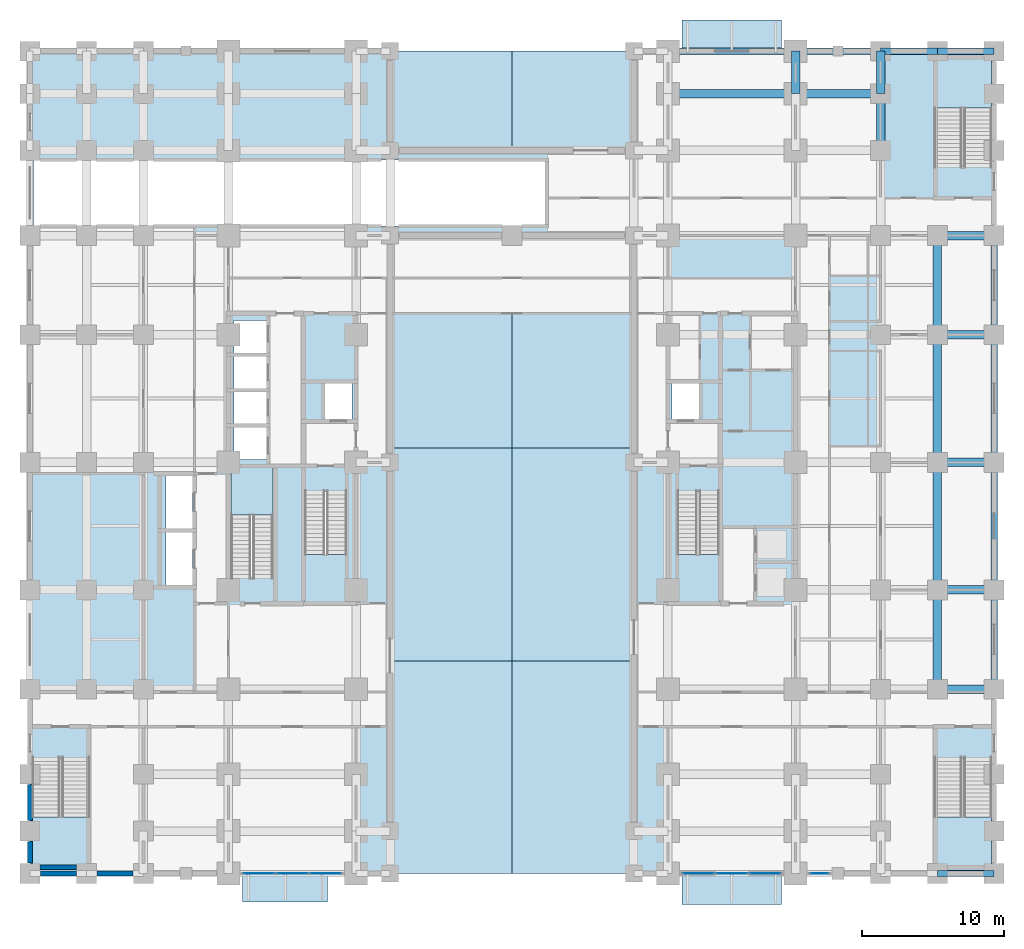
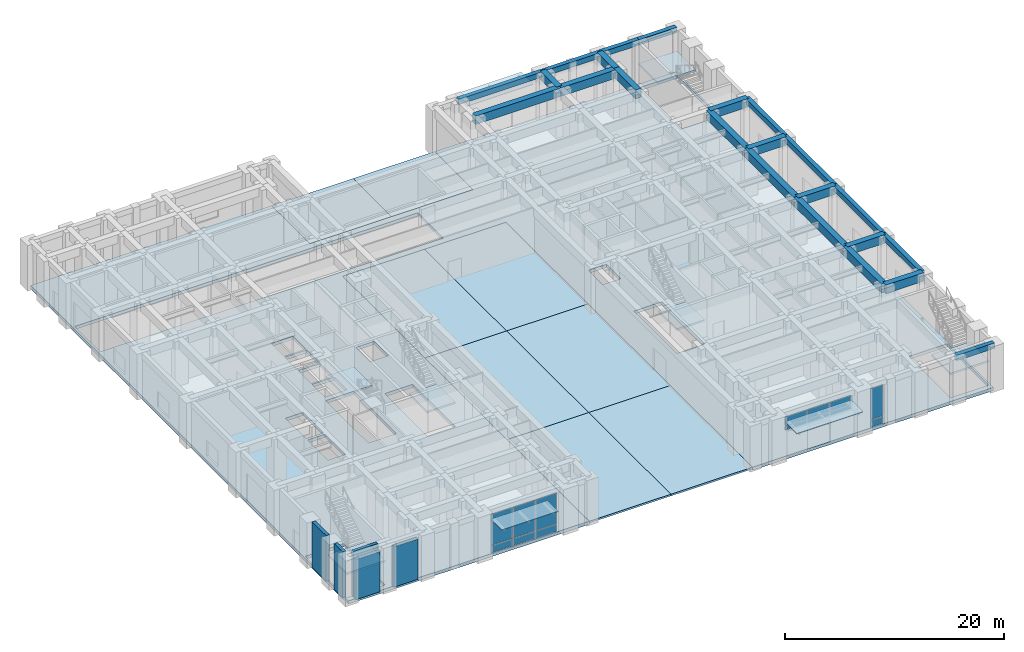
# One storey, part 5 of 20: 23 beams, 17 plates, 15 slabs, 5 walls, 9 elements without a shape of their own.
"""IFC4 building model written with IfcOpenShell, lengths in metres."""

import ifcopenshell
import ifcopenshell.guid

model = None  # the IFC model being written
_history = None  # IfcOwnerHistory: only IFC2X3 demands one
_inside = {}  # id of a spatial element -> (the spatial element, [elements in it])
_under = {}  # id of a project, library or spatial element -> (it, [spatial elements below it])
_declared = {}  # id of a project -> (the project, [libraries it declares])
_typed = {}  # id of a type object -> (the type object, [elements of that type])
_made_of = {}  # id of a material, layer set ... -> (it, [elements and type objects made of it])


def new_model(schema):
    """Start an empty IFC model of exactly this schema.

    Asked for "IFC4X3", IfcOpenShell would pick the latest addendum, in which some entities
    have other attributes; the version numbers below select the first issue.
    IFC2X3 requires an IfcOwnerHistory on every rooted entity: one is made here for all.
    """
    global model, _history
    if schema == "IFC4X3":
        model = ifcopenshell.file(schema_version=(4, 3, 0, 0))
    else:
        model = ifcopenshell.file(schema=schema)
    _inside.clear()
    _under.clear()
    _declared.clear()
    _typed.clear()
    _made_of.clear()
    _history = None
    if model.schema == "IFC2X3":
        org = make("IfcOrganization", Name="unknown")
        user = make(
            "IfcPersonAndOrganization",
            ThePerson=make("IfcPerson", FamilyName="unknown"),
            TheOrganization=org,
        )
        app = make(
            "IfcApplication",
            ApplicationDeveloper=org,
            Version="unknown",
            ApplicationFullName="unknown",
            ApplicationIdentifier="unknown",
        )
        _history = make(
            "IfcOwnerHistory",
            OwningUser=user,
            OwningApplication=app,
            ChangeAction="ADDED",
            CreationDate=0,
        )
    return model


def make(cls, **values):
    """One entity of the class cls with the attributes given. An attribute that is None is left unset."""
    return model.create_entity(
        cls, **{name: value for name, value in values.items() if value is not None}
    )


def rooted(cls, **values):
    """An entity with a GlobalId (a new one), such as an element, a storey or a relation."""
    return make(cls, GlobalId=ifcopenshell.guid.new(), OwnerHistory=_history, **values)


def si_unit(unit_type, name, prefix=None):
    """IfcSIUnit, for example si_unit("LENGTHUNIT", "METRE", prefix="MILLI")."""
    return make("IfcSIUnit", UnitType=unit_type, Prefix=prefix, Name=name)


def assignment(units):
    """IfcUnitAssignment: the units of a project."""
    return None if units is None else make("IfcUnitAssignment", Units=units)


def point(xyz):
    """IfcCartesianPoint."""
    return None if xyz is None else make("IfcCartesianPoint", Coordinates=xyz)


def direction(xyz):
    """IfcDirection."""
    return None if xyz is None else make("IfcDirection", DirectionRatios=xyz)


def frame(location, z_axis=None, x_axis=None):
    """IfcAxis2Placement3D, a coordinate frame: its origin and axes. An axis left out is left unset."""
    return make(
        "IfcAxis2Placement3D",
        Location=point(location),
        Axis=direction(z_axis),
        RefDirection=direction(x_axis),
    )


def frame_2d(location, x_axis=None):
    """IfcAxis2Placement2D, a coordinate frame in the plane: its origin and x axis."""
    return make(
        "IfcAxis2Placement2D", Location=point(location), RefDirection=direction(x_axis)
    )


def origin():
    """The frame at (0, 0, 0) with its axes left unset."""
    return frame((0.0, 0.0, 0.0))


def origin_2d():
    """The frame at (0, 0) in the plane with its x axis left unset."""
    return frame_2d((0.0, 0.0))


def place(relative_to, where):
    """IfcLocalPlacement: puts the frame where relative to a parent placement (None: the world)."""
    return make(
        "IfcLocalPlacement", PlacementRelTo=relative_to, RelativePlacement=where
    )


def context(
    kind, dimensions, precision=None, world=None, true_north=None, identifier=None
):
    """IfcGeometricRepresentationContext, for example the 3D "Model" context."""
    return make(
        "IfcGeometricRepresentationContext",
        ContextIdentifier=identifier,
        ContextType=kind,
        CoordinateSpaceDimension=dimensions,
        Precision=precision,
        WorldCoordinateSystem=world,
        TrueNorth=true_north,
    )


def subcontext(parent, identifier, kind, view, scale=None):
    """IfcGeometricRepresentationSubContext, for example "Body" below "Model"."""
    return make(
        "IfcGeometricRepresentationSubContext",
        ContextIdentifier=identifier,
        ContextType=kind,
        ParentContext=parent,
        TargetScale=scale,
        TargetView=view,
    )


def project(units=None, contexts=None):
    """IfcProject with its units and contexts."""
    return rooted(
        "IfcProject",
        Name="project",
        RepresentationContexts=contexts,
        UnitsInContext=assignment(units),
    )


def spatial(cls, under=None, at=None, **own):
    """A site, building, storey or space (cls), placed at a placement, below another one or the project."""
    s = rooted(cls, ObjectPlacement=at, **own)
    if under is not None:
        _under.setdefault(under.id(), (under, []))[1].append(s)
    return s


def polyline(points):
    """IfcPolyline through the points."""
    return make("IfcPolyline", Points=[point(p) for p in points])


def profile(cls, at=None, kind="AREA", **sizes):
    """A parametric profile (cls). Its sizes go by their IFC names, for example OverallWidth=200.0."""
    return make(cls, ProfileType=kind, Position=at, **sizes)


def rectangle(**sizes):
    """IfcRectangleProfileDef."""
    return profile("IfcRectangleProfileDef", **sizes)


def outline(outer, holes=None, kind="AREA"):
    """IfcArbitraryClosedProfileDef: a profile drawn as a closed curve; with holes, ...WithVoids."""
    if holes is None:
        return make("IfcArbitraryClosedProfileDef", ProfileType=kind, OuterCurve=outer)
    return make(
        "IfcArbitraryProfileDefWithVoids",
        ProfileType=kind,
        OuterCurve=outer,
        InnerCurves=holes,
    )


def extrude(swept, where, along, depth):
    """IfcExtrudedAreaSolid: the profile swept, set in the frame where, extruded along a direction by depth."""
    return make(
        "IfcExtrudedAreaSolid",
        SweptArea=swept,
        Position=where,
        ExtrudedDirection=direction(along),
        Depth=depth,
    )


def shape(context_of_items, identifier, shape_type, items):
    """IfcShapeRepresentation: the items that make up one representation, for example the "Body"."""
    return make(
        "IfcShapeRepresentation",
        ContextOfItems=context_of_items,
        RepresentationIdentifier=identifier,
        RepresentationType=shape_type,
        Items=items,
    )


def material(Name=None, Category=None):
    """IfcMaterial."""
    return make("IfcMaterial", Name=Name, Category=Category)


def layer(
    of_material, thickness, ventilated=None, Name=None, Category=None, Priority=None
):
    """IfcMaterialLayer: one layer of a wall or slab, of a material (None: an air gap)."""
    return make(
        "IfcMaterialLayer",
        Material=of_material,
        LayerThickness=thickness,
        IsVentilated=ventilated,
        Name=Name,
        Category=Category,
        Priority=Priority,
    )


def layer_set(layers, Name=None):
    """IfcMaterialLayerSet."""
    return make("IfcMaterialLayerSet", MaterialLayers=layers, LayerSetName=Name)


def material_profile(
    of_material, cross_section, Name=None, Category=None, Priority=None
):
    """IfcMaterialProfile: a cross section and its material."""
    return make(
        "IfcMaterialProfile",
        Name=Name,
        Material=of_material,
        Profile=cross_section,
        Priority=Priority,
        Category=Category,
    )


def profile_set(profiles, Name=None, composite=None):
    """IfcMaterialProfileSet."""
    return make(
        "IfcMaterialProfileSet",
        Name=Name,
        MaterialProfiles=profiles,
        CompositeProfile=composite,
    )


def made_of(thing, what):
    """Note that an element or type object is made of a material, layer set ...; save() writes the relation."""
    if what is not None:
        _made_of.setdefault(what.id(), (what, []))[1].append(thing)
    return thing


def type_object(cls, material=None, **own):
    """A type object (cls), such as IfcWallType, which elements share."""
    return made_of(rooted(cls, **own), material)


def element(
    cls,
    number,
    at=None,
    inside=None,
    cuts=None,
    type_object=None,
    material=None,
    context=None,
    identifier="Body",
    shape_type=None,
    held_by="IfcProductDefinitionShape",
    body=None,
    shapes=None,
    **own,
):
    """One element of the class cls, such as IfcWall. Its Tag is "e" and its number.

    at: its placement. inside: the storey or other place that contains it. cuts: it is an
    opening in that element (IfcRelVoidsElement). A single representation is given by context,
    identifier, shape_type and body (its items); several are given by shapes. held_by: the class
    of the entity that holds the representations. save() writes the other relations.
    """
    e = rooted(cls, Tag="e%d" % number, ObjectPlacement=at, **own)
    if body is not None:
        shapes = [shape(context, identifier, shape_type, body)]
    if shapes is not None:
        e.Representation = make(held_by, Representations=shapes)
    if inside is not None:
        _inside.setdefault(inside.id(), (inside, []))[1].append(e)
    if cuts is not None:
        rooted(
            "IfcRelVoidsElement", RelatingBuildingElement=cuts, RelatedOpeningElement=e
        )
    if type_object is not None:
        _typed.setdefault(type_object.id(), (type_object, []))[1].append(e)
    return made_of(e, material)


def aggregate(whole, parts):
    """IfcRelAggregates: a whole, such as a stair, and the parts it consists of."""
    return rooted("IfcRelAggregates", RelatingObject=whole, RelatedObjects=parts)


def save(model, path):
    """Write the relations noted so far, then the file.

    IfcRelAggregates (storeys below a building ...), IfcRelContainedInSpatialStructure (elements
    in a storey), IfcRelDefinesByType, IfcRelAssociatesMaterial and IfcRelDeclares: one each for
    every whole, place, type object, material and project.
    """
    for whole, parts in _under.values():
        aggregate(whole, parts)
    for where, things in _inside.values():
        rooted(
            "IfcRelContainedInSpatialStructure",
            RelatedElements=things,
            RelatingStructure=where,
        )
    for kind, things in _typed.values():
        rooted("IfcRelDefinesByType", RelatedObjects=things, RelatingType=kind)
    for what, things in _made_of.values():
        rooted("IfcRelAssociatesMaterial", RelatedObjects=things, RelatingMaterial=what)
    for by, libraries in _declared.values():
        rooted("IfcRelDeclares", RelatingContext=by, RelatedDefinitions=libraries)
    model.write(path)


model = new_model("IFC4")

# Units and contexts
model_context = context("Model", 3, precision=1e-05, world=origin(), true_north=direction((0.0, 1.0)))
body_context = subcontext(model_context, "Body", "Model", "MODEL_VIEW")
ifc_project = project(units=[si_unit("LENGTHUNIT", "METRE"), si_unit("AREAUNIT", "SQUARE_METRE"), si_unit("VOLUMEUNIT", "CUBIC_METRE"), si_unit("PLANEANGLEUNIT", "RADIAN"), si_unit("MASSUNIT", "GRAM", prefix="KILO")], contexts=[model_context])

# Site, building, storey
site_placement = place(None, origin())
site = spatial("IfcSite", under=ifc_project, at=site_placement, CompositionType="ELEMENT")
building_placement = place(site_placement, origin())
building = spatial("IfcBuilding", under=site, at=building_placement, Name="Zulmaris Gate Convention Tower", CompositionType="ELEMENT")
storey_placement = place(building_placement, origin())
storey = spatial("IfcBuildingStorey", under=building, at=storey_placement, Name="L00", CompositionType="ELEMENT", Elevation=0.0)

# Beams
ifc_material_1 = material(Name="Concrete C60/75", Category="concrete")
ifc_material_profile_1 = material_profile(ifc_material_1, rectangle(XDim=0.60009765625, YDim=0.949951171875, at=origin_2d()), Name="RC BEAM 600x950")
ifc_profile_set_1 = profile_set([ifc_material_profile_1], Name="Concrete C60/75")
beam_type_1 = type_object("IfcBeamType", Name="BM-RC600x950", PredefinedType="BEAM", material=ifc_profile_set_1)
for number, where, z_axis, x_axis, name in (
    (1, (30.0, -16.0, 4.614990234375), (1.0, 0.0, 0.0), (0.0, 1.0, 0.0), "L00 Beam BM-L00-X--16.0-+30.0"),
    (2, (30.0, -9.0, 4.614990234375), (1.0, 0.0, 0.0), (0.0, 1.0, 0.0), "L00 Beam BM-L00-X--9.0-+30.0"),
    (3, (30.0, 0.0, 4.614990234375), (1.0, 0.0, 0.0), (0.0, 1.0, 0.0), "L00 Beam BM-L00-X-+0.0-+30.0"),
    (4, (30.0, 9.0, 4.614990234375), (1.0, 0.0, 0.0), (0.0, 1.0, 0.0), "L00 Beam BM-L00-X-+9.0-+30.0"),
    (5, (30.0, 16.0, 4.614990234375), (1.0, 0.0, 0.0), (0.0, 1.0, 0.0), "L00 Beam BM-L00-X-+16.0-+30.0"),
):
    element("IfcBeam", number, at=place(storey_placement, frame(where, z_axis=z_axis, x_axis=x_axis)), inside=storey, type_object=beam_type_1, Name=name, PredefinedType="BEAM", context=body_context, shape_type="SweptSolid", body=[
        extrude(rectangle(XDim=0.60009765625, YDim=0.949951171875, at=origin_2d()), origin(), (0.0, 0.0, 1.0), 4.0),
    ])
beam_1_placement = place(storey_placement, frame((11.0, 26.0, 4.614990234375), z_axis=(1.0, 0.0, 0.0), x_axis=(0.0, 1.0, 0.0)))
element("IfcBeam", 6, at=beam_1_placement, inside=storey, type_object=beam_type_1, Name="L00 Beam BM-L00-X-+26.0-+11.0", PredefinedType="BEAM", context=body_context, shape_type="SweptSolid", body=[
    extrude(rectangle(XDim=0.60009765625, YDim=0.949951171875, at=origin_2d()), origin(), (0.0, 0.0, 1.0), 9.0),
])
beam_2_placement = place(storey_placement, frame((20.0, 26.0, 4.614990234375), z_axis=(1.0, 0.0, 0.0), x_axis=(0.0, 1.0, 0.0)))
element("IfcBeam", 7, at=beam_2_placement, inside=storey, type_object=beam_type_1, Name="L00 Beam BM-L00-X-+26.0-+20.0", PredefinedType="BEAM", context=body_context, shape_type="SweptSolid", body=[
    extrude(rectangle(XDim=0.60009765625, YDim=0.949951171875, at=origin_2d()), origin(), (0.0, 0.0, 1.0), 6.0),
])
beam_3_placement = place(storey_placement, frame((20.0, 26.0, 4.614990234375), z_axis=(0.0, 1.0, 0.0), x_axis=(-1.0, 0.0, 0.0)))
element("IfcBeam", 8, at=beam_3_placement, inside=storey, type_object=beam_type_1, Name="L00 Beam BM-L00-Y-+20.0-+26.0", PredefinedType="BEAM", context=body_context, shape_type="SweptSolid", body=[
    extrude(rectangle(XDim=0.60009765625, YDim=0.949951171875, at=origin_2d()), origin(), (0.0, 0.0, 1.0), 3.0),
])
beam_4_placement = place(storey_placement, frame((26.0, 22.0, 4.614990234375), z_axis=(0.0, 1.0, 0.0), x_axis=(-1.0, 0.0, 0.0)))
element("IfcBeam", 9, at=beam_4_placement, inside=storey, type_object=beam_type_1, Name="L00 Beam BM-L00-Y-+26.0-+22.0", PredefinedType="BEAM", context=body_context, shape_type="SweptSolid", body=[
    extrude(rectangle(XDim=0.60009765625, YDim=0.949951171875, at=origin_2d()), origin(), (0.0, 0.0, 1.0), 4.0),
])
beam_5_placement = place(storey_placement, frame((26.0, 26.0, 4.614990234375), z_axis=(0.0, 1.0, 0.0), x_axis=(-1.0, 0.0, 0.0)))
element("IfcBeam", 10, at=beam_5_placement, inside=storey, type_object=beam_type_1, Name="L00 Beam BM-L00-Y-+26.0-+26.0", PredefinedType="BEAM", context=body_context, shape_type="SweptSolid", body=[
    extrude(rectangle(XDim=0.60009765625, YDim=0.949951171875, at=origin_2d()), origin(), (0.0, 0.0, 1.0), 3.0),
])
beam_6_placement = place(storey_placement, frame((30.0, -16.0, 4.614990234375), z_axis=(0.0, 1.0, 0.0), x_axis=(-1.0, 0.0, 0.0)))
element("IfcBeam", 11, at=beam_6_placement, inside=storey, type_object=beam_type_1, Name="L00 Beam BM-L00-Y-+30.0--16.0", PredefinedType="BEAM", context=body_context, shape_type="SweptSolid", body=[
    extrude(rectangle(XDim=0.60009765625, YDim=0.949951171875, at=origin_2d()), origin(), (0.0, 0.0, 1.0), 7.0),
])
for number, where, z_axis, x_axis, name in (
    (12, (30.0, -9.0, 4.614990234375), (0.0, 1.0, 0.0), (-1.0, 0.0, 0.0), "L00 Beam BM-L00-Y-+30.0--9.0"),
    (13, (30.0, 0.0, 4.614990234375), (0.0, 1.0, 0.0), (-1.0, 0.0, 0.0), "L00 Beam BM-L00-Y-+30.0-+0.0"),
):
    element("IfcBeam", number, at=place(storey_placement, frame(where, z_axis=z_axis, x_axis=x_axis)), inside=storey, type_object=beam_type_1, Name=name, PredefinedType="BEAM", context=body_context, shape_type="SweptSolid", body=[
        extrude(rectangle(XDim=0.60009765625, YDim=0.949951171875, at=origin_2d()), origin(), (0.0, 0.0, 1.0), 9.0),
    ])
beam_7_placement = place(storey_placement, frame((30.0, 9.0, 4.614990234375), z_axis=(0.0, 1.0, 0.0), x_axis=(-1.0, 0.0, 0.0)))
element("IfcBeam", 14, at=beam_7_placement, inside=storey, type_object=beam_type_1, Name="L00 Beam BM-L00-Y-+30.0-+9.0", PredefinedType="BEAM", context=body_context, shape_type="SweptSolid", body=[
    extrude(rectangle(XDim=0.60009765625, YDim=0.949951171875, at=origin_2d()), origin(), (0.0, 0.0, 1.0), 7.0),
])
ifc_material_2 = material(Name="Precast concrete C50/60", Category="concrete")
ifc_material_profile_2 = material_profile(ifc_material_2, rectangle(XDim=0.449951171875, YDim=0.60009765625, at=origin_2d()), Name="RC SPANDREL 450x600")
ifc_profile_set_2 = profile_set([ifc_material_profile_2], Name="Precast concrete C50/60")
beam_type_2 = type_object("IfcBeamType", Name="BM-SP450x600", PredefinedType="SPANDREL", material=ifc_profile_set_2)
beam_8_placement = place(storey_placement, frame((30.0, -29.0, 4.789794921875), z_axis=(1.0, 0.0, 0.0), x_axis=(0.0, 1.0, 0.0)))
element("IfcBeam", 15, at=beam_8_placement, inside=storey, type_object=beam_type_2, Name="L00 Spandrel BM-L00-X--29.0-+30.0", PredefinedType="SPANDREL", context=body_context, shape_type="SweptSolid", body=[
    extrude(rectangle(XDim=0.449951171875, YDim=0.60009765625, at=origin_2d()), origin(), (0.0, 0.0, 1.0), 4.0),
])
beam_9_placement = place(storey_placement, frame((11.0, 29.0, 4.789794921875), z_axis=(1.0, 0.0, 0.0), x_axis=(0.0, 1.0, 0.0)))
element("IfcBeam", 16, at=beam_9_placement, inside=storey, type_object=beam_type_2, Name="L00 Spandrel BM-L00-X-+29.0-+11.0", PredefinedType="SPANDREL", context=body_context, shape_type="SweptSolid", body=[
    extrude(rectangle(XDim=0.449951171875, YDim=0.60009765625, at=origin_2d()), origin(), (0.0, 0.0, 1.0), 9.0),
])
beam_10_placement = place(storey_placement, frame((20.0, 29.0, 4.789794921875), z_axis=(1.0, 0.0, 0.0), x_axis=(0.0, 1.0, 0.0)))
element("IfcBeam", 17, at=beam_10_placement, inside=storey, type_object=beam_type_2, Name="L00 Spandrel BM-L00-X-+29.0-+20.0", PredefinedType="SPANDREL", context=body_context, shape_type="SweptSolid", body=[
    extrude(rectangle(XDim=0.449951171875, YDim=0.60009765625, at=origin_2d()), origin(), (0.0, 0.0, 1.0), 6.0),
])
for number, where, z_axis, x_axis, name in (
    (18, (26.0, 29.0, 4.789794921875), (1.0, 0.0, 0.0), (0.0, 1.0, 0.0), "L00 Spandrel BM-L00-X-+29.0-+26.0"),
    (19, (30.0, 29.0, 4.789794921875), (1.0, 0.0, 0.0), (0.0, 1.0, 0.0), "L00 Spandrel BM-L00-X-+29.0-+30.0"),
):
    element("IfcBeam", number, at=place(storey_placement, frame(where, z_axis=z_axis, x_axis=x_axis)), inside=storey, type_object=beam_type_2, Name=name, PredefinedType="SPANDREL", context=body_context, shape_type="SweptSolid", body=[
        extrude(rectangle(XDim=0.449951171875, YDim=0.60009765625, at=origin_2d()), origin(), (0.0, 0.0, 1.0), 4.0),
    ])
beam_11_placement = place(storey_placement, frame((34.0, -16.0, 4.789794921875), z_axis=(0.0, 1.0, 0.0), x_axis=(-1.0, 0.0, 0.0)))
element("IfcBeam", 20, at=beam_11_placement, inside=storey, type_object=beam_type_2, Name="L00 Spandrel BM-L00-Y-+34.0--16.0", PredefinedType="SPANDREL", context=body_context, shape_type="SweptSolid", body=[
    extrude(rectangle(XDim=0.449951171875, YDim=0.60009765625, at=origin_2d()), origin(), (0.0, 0.0, 1.0), 7.0),
])
for number, where, z_axis, x_axis, name in (
    (21, (34.0, -9.0, 4.789794921875), (0.0, 1.0, 0.0), (-1.0, 0.0, 0.0), "L00 Spandrel BM-L00-Y-+34.0--9.0"),
    (22, (34.0, 0.0, 4.789794921875), (0.0, 1.0, 0.0), (-1.0, 0.0, 0.0), "L00 Spandrel BM-L00-Y-+34.0-+0.0"),
):
    element("IfcBeam", number, at=place(storey_placement, frame(where, z_axis=z_axis, x_axis=x_axis)), inside=storey, type_object=beam_type_2, Name=name, PredefinedType="SPANDREL", context=body_context, shape_type="SweptSolid", body=[
        extrude(rectangle(XDim=0.449951171875, YDim=0.60009765625, at=origin_2d()), origin(), (0.0, 0.0, 1.0), 9.0),
    ])
beam_12_placement = place(storey_placement, frame((34.0, 9.0, 4.789794921875), z_axis=(0.0, 1.0, 0.0), x_axis=(-1.0, 0.0, 0.0)))
element("IfcBeam", 23, at=beam_12_placement, inside=storey, type_object=beam_type_2, Name="L00 Spandrel BM-L00-Y-+34.0-+9.0", PredefinedType="SPANDREL", context=body_context, shape_type="SweptSolid", body=[
    extrude(rectangle(XDim=0.449951171875, YDim=0.60009765625, at=origin_2d()), origin(), (0.0, 0.0, 1.0), 7.0),
])

# Plates
ifc_material_3 = material(Name="Laminated Safety Glass", Category="glass")
ifc_layer_1 = layer(ifc_material_3, 0.080078125, Name="Laminated Safety Glass")
ifc_layer_set_1 = layer_set([ifc_layer_1], Name="Laminated Safety Glass")
plate_type_1 = type_object("IfcPlateType", Name="CANOPY-GLASS-AL", PredefinedType="USERDEFINED", material=ifc_layer_set_1)
plate_1_placement = place(storey_placement, frame((0.0, 0.0, 3.800048828125)))
element("IfcPlate", 24, at=plate_1_placement, inside=storey, type_object=plate_type_1, Name="L00 SOUTH-MAIN Entrance Canopy", ObjectType="SOFFIT", PredefinedType="USERDEFINED", context=body_context, shape_type="SweptSolid", body=[
    extrude(outline(polyline([(12.0, -31.199951171875), (19.0, -31.199951171875), (19.0, -29.0), (12.0, -29.0), (12.0, -31.199951171875)])), origin(), (0.0, 0.0, 1.0), 0.079833984375),
])
plate_2_placement = place(storey_placement, frame((0.0, 0.0, 3.800048828125)))
element("IfcPlate", 25, at=plate_2_placement, inside=storey, type_object=plate_type_1, Name="L00 NORTH-VIP Entrance Canopy", ObjectType="SOFFIT", PredefinedType="USERDEFINED", context=body_context, shape_type="SweptSolid", body=[
    extrude(outline(polyline([(12.0, 29.0), (19.0, 29.0), (19.0, 31.199951171875), (12.0, 31.199951171875), (12.0, 29.0)])), origin(), (0.0, 0.0, 1.0), 0.079833984375),
])
plate_3_placement = place(storey_placement, frame((0.0, 0.0, 3.800048828125)))
element("IfcPlate", 26, at=plate_3_placement, inside=storey, type_object=plate_type_1, Name="L00 WEST-REG Entrance Canopy", ObjectType="SOFFIT", PredefinedType="USERDEFINED", context=body_context, shape_type="SweptSolid", body=[
    extrude(outline(polyline([(-19.0, -31.0), (-13.0, -31.0), (-13.0, -29.0), (-19.0, -29.0), (-19.0, -31.0)])), origin(), (0.0, 0.0, 1.0), 0.079833984375),
])

# Curtain wall, plates
ifc_material_4 = material(Name="Anodised Aluminium", Category="aluminium")
curtain_wall_type = type_object("IfcCurtainWallType", Name="CW-01", PredefinedType="NOTDEFINED", material=ifc_material_4)
curtain_wall_1_placement = place(storey_placement, origin())
curtain_wall_1 = element("IfcCurtainWall", 27, at=curtain_wall_1_placement, inside=storey, type_object=curtain_wall_type, Name="CW-01 CW01-L00-S-20_0", PredefinedType="NOTDEFINED")
ifc_material_5 = material(Name="Low-E Double Glazing", Category="glass")
ifc_layer_2 = layer(ifc_material_5, 0.028076171875, Name="Low-E Double Glazing")
ifc_layer_set_2 = layer_set([ifc_layer_2], Name="Low-E Double Glazing")
plate_type_2 = type_object("IfcPlateType", Name="CW-01-VISION", PredefinedType="CURTAIN_PANEL", material=ifc_layer_set_2)
plate_4_placement = place(storey_placement, frame((-17.83740234375, -29.0, 0.08984375), z_axis=(0.0, 0.0, 1.0), x_axis=(1.0, 0.0, 0.0)))
plate_4 = element("IfcPlate", 28, at=plate_4_placement, type_object=plate_type_2, Name="CW-01 panel 1.1", PredefinedType="CURTAIN_PANEL", context=body_context, shape_type="SweptSolid", body=[
    extrude(rectangle(XDim=2.22509765625, YDim=0.028076171875, at=origin_2d()), origin(), (0.0, 0.0, 1.0), 0.764892578125),
])
plate_5_placement = place(storey_placement, frame((-17.83740234375, -29.0, 0.94482421875), z_axis=(0.0, 0.0, 1.0), x_axis=(1.0, 0.0, 0.0)))
plate_5 = element("IfcPlate", 29, at=plate_5_placement, type_object=plate_type_2, Name="CW-01 panel 1.2", PredefinedType="CURTAIN_PANEL", context=body_context, shape_type="SweptSolid", body=[
    extrude(rectangle(XDim=2.22509765625, YDim=0.028076171875, at=origin_2d()), origin(), (0.0, 0.0, 1.0), 3.447021484375),
])
plate_6_placement = place(storey_placement, frame((-15.5, -29.0, 0.08984375), z_axis=(0.0, 0.0, 1.0), x_axis=(1.0, 0.0, 0.0)))
plate_6 = element("IfcPlate", 30, at=plate_6_placement, type_object=plate_type_2, Name="CW-01 panel 2.1", PredefinedType="CURTAIN_PANEL", context=body_context, shape_type="SweptSolid", body=[
    extrude(rectangle(XDim=2.27001953125, YDim=0.028076171875, at=origin_2d()), origin(), (0.0, 0.0, 1.0), 0.764892578125),
])
plate_7_placement = place(storey_placement, frame((-15.5, -29.0, 0.94482421875), z_axis=(0.0, 0.0, 1.0), x_axis=(1.0, 0.0, 0.0)))
plate_7 = element("IfcPlate", 31, at=plate_7_placement, type_object=plate_type_2, Name="CW-01 panel 2.2", PredefinedType="CURTAIN_PANEL", context=body_context, shape_type="SweptSolid", body=[
    extrude(rectangle(XDim=2.27001953125, YDim=0.028076171875, at=origin_2d()), origin(), (0.0, 0.0, 1.0), 3.447021484375),
])
plate_8_placement = place(storey_placement, frame((-13.16259765625, -29.0, 0.08984375), z_axis=(0.0, 0.0, 1.0), x_axis=(1.0, 0.0, 0.0)))
plate_8 = element("IfcPlate", 32, at=plate_8_placement, type_object=plate_type_2, Name="CW-01 panel 3.1", PredefinedType="CURTAIN_PANEL", context=body_context, shape_type="SweptSolid", body=[
    extrude(rectangle(XDim=2.22509765625, YDim=0.028076171875, at=origin_2d()), origin(), (0.0, 0.0, 1.0), 0.764892578125),
])
plate_9_placement = place(storey_placement, frame((-13.16259765625, -29.0, 0.94482421875), z_axis=(0.0, 0.0, 1.0), x_axis=(1.0, 0.0, 0.0)))
plate_9 = element("IfcPlate", 33, at=plate_9_placement, type_object=plate_type_2, Name="CW-01 panel 3.2", PredefinedType="CURTAIN_PANEL", context=body_context, shape_type="SweptSolid", body=[
    extrude(rectangle(XDim=2.22509765625, YDim=0.028076171875, at=origin_2d()), origin(), (0.0, 0.0, 1.0), 3.447021484375),
])
aggregate(curtain_wall_1, [plate_4, plate_5, plate_6, plate_7, plate_8, plate_9])

curtain_wall_2_placement = place(storey_placement, origin())
curtain_wall_2 = element("IfcCurtainWall", 34, at=curtain_wall_2_placement, inside=storey, type_object=curtain_wall_type, Name="CW-01 CW01-L00-S11_0", PredefinedType="NOTDEFINED")
plate_10_placement = place(storey_placement, frame((13.16259765625, -29.0, 2.93994140625), z_axis=(0.0, 0.0, 1.0), x_axis=(1.0, 0.0, 0.0)))
plate_10 = element("IfcPlate", 35, at=plate_10_placement, type_object=plate_type_2, Name="CW-01 panel 1.1", PredefinedType="CURTAIN_PANEL", context=body_context, shape_type="SweptSolid", body=[
    extrude(rectangle(XDim=2.22509765625, YDim=0.028076171875, at=origin_2d()), origin(), (0.0, 0.0, 1.0), 0.38720703125),
])
plate_11_placement = place(storey_placement, frame((13.16259765625, -29.0, 3.417236328125), z_axis=(0.0, 0.0, 1.0), x_axis=(1.0, 0.0, 0.0)))
plate_11 = element("IfcPlate", 36, at=plate_11_placement, type_object=plate_type_2, Name="CW-01 panel 1.2", PredefinedType="CURTAIN_PANEL", context=body_context, shape_type="SweptSolid", body=[
    extrude(rectangle(XDim=2.22509765625, YDim=0.028076171875, at=origin_2d()), origin(), (0.0, 0.0, 1.0), 0.974609375),
])
plate_12_placement = place(storey_placement, frame((15.5, -29.0, 2.93994140625), z_axis=(0.0, 0.0, 1.0), x_axis=(1.0, 0.0, 0.0)))
plate_12 = element("IfcPlate", 37, at=plate_12_placement, type_object=plate_type_2, Name="CW-01 panel 2.1", PredefinedType="CURTAIN_PANEL", context=body_context, shape_type="SweptSolid", body=[
    extrude(rectangle(XDim=2.27001953125, YDim=0.028076171875, at=origin_2d()), origin(), (0.0, 0.0, 1.0), 0.38720703125),
])
plate_13_placement = place(storey_placement, frame((15.5, -29.0, 3.417236328125), z_axis=(0.0, 0.0, 1.0), x_axis=(1.0, 0.0, 0.0)))
plate_13 = element("IfcPlate", 38, at=plate_13_placement, type_object=plate_type_2, Name="CW-01 panel 2.2", PredefinedType="CURTAIN_PANEL", context=body_context, shape_type="SweptSolid", body=[
    extrude(rectangle(XDim=2.27001953125, YDim=0.028076171875, at=origin_2d()), origin(), (0.0, 0.0, 1.0), 0.974609375),
])
plate_14_placement = place(storey_placement, frame((17.83740234375, -29.0, 2.93994140625), z_axis=(0.0, 0.0, 1.0), x_axis=(1.0, 0.0, 0.0)))
plate_14 = element("IfcPlate", 39, at=plate_14_placement, type_object=plate_type_2, Name="CW-01 panel 3.1", PredefinedType="CURTAIN_PANEL", context=body_context, shape_type="SweptSolid", body=[
    extrude(rectangle(XDim=2.22509765625, YDim=0.028076171875, at=origin_2d()), origin(), (0.0, 0.0, 1.0), 0.38720703125),
])
plate_15_placement = place(storey_placement, frame((17.83740234375, -29.0, 3.417236328125), z_axis=(0.0, 0.0, 1.0), x_axis=(1.0, 0.0, 0.0)))
plate_15 = element("IfcPlate", 40, at=plate_15_placement, type_object=plate_type_2, Name="CW-01 panel 3.2", PredefinedType="CURTAIN_PANEL", context=body_context, shape_type="SweptSolid", body=[
    extrude(rectangle(XDim=2.22509765625, YDim=0.028076171875, at=origin_2d()), origin(), (0.0, 0.0, 1.0), 0.974609375),
])
aggregate(curtain_wall_2, [plate_10, plate_11, plate_12, plate_13, plate_14, plate_15])

curtain_wall_3_placement = place(storey_placement, origin())
curtain_wall_3 = element("IfcCurtainWall", 41, at=curtain_wall_3_placement, inside=storey, type_object=curtain_wall_type, Name="CW-01 CW01-L00-S20_0", PredefinedType="NOTDEFINED")
plate_16_placement = place(storey_placement, frame((21.6875, -29.0, 0.08984375), z_axis=(0.0, 0.0, 1.0), x_axis=(1.0, 0.0, 0.0)))
plate_16 = element("IfcPlate", 42, at=plate_16_placement, type_object=plate_type_2, Name="CW-01 panel 1.1", PredefinedType="CURTAIN_PANEL", context=body_context, shape_type="SweptSolid", body=[
    extrude(rectangle(XDim=1.27490234375, YDim=0.028076171875, at=origin_2d()), origin(), (0.0, 0.0, 1.0), 0.764892578125),
])
plate_17_placement = place(storey_placement, frame((21.6875, -29.0, 0.94482421875), z_axis=(0.0, 0.0, 1.0), x_axis=(1.0, 0.0, 0.0)))
plate_17 = element("IfcPlate", 43, at=plate_17_placement, type_object=plate_type_2, Name="CW-01 panel 1.2", PredefinedType="CURTAIN_PANEL", context=body_context, shape_type="SweptSolid", body=[
    extrude(rectangle(XDim=1.27490234375, YDim=0.028076171875, at=origin_2d()), origin(), (0.0, 0.0, 1.0), 3.447021484375),
])
aggregate(curtain_wall_3, [plate_16, plate_17])

# Slab
ifc_material_6 = material(Name="Concrete C50/60", Category="concrete")
ifc_layer_3 = layer(ifc_material_6, 0.35009765625, Name="Concrete C50/60")
ifc_layer_set_3 = layer_set([ifc_layer_3], Name="Concrete C50/60")
slab_type_1 = type_object("IfcSlabType", Name="SL-FLR-350", PredefinedType="FLOOR", material=ifc_layer_set_3)
slab_1_placement = place(storey_placement, frame((0.0, 0.0, -0.35009765625)))
element("IfcSlab", 44, at=slab_1_placement, inside=storey, type_object=slab_type_1, Name="L00 Ground Podium Structural Floor Slab", PredefinedType="FLOOR", context=body_context, shape_type="SweptSolid", body=[
    extrude(outline(polyline([(-34.0, -29.0), (-8.60009765625, -29.0), (-8.60009765625, 16.0), (8.60009765625, 16.0), (8.60009765625, -29.0), (34.0, -29.0), (34.0, 29.0), (8.60009765625, 29.0), (8.60009765625, 22.0), (-8.60009765625, 22.0), (-8.60009765625, 29.0), (-34.0, 29.0), (-34.0, -29.0)]), holes=[polyline([(-14.6201171875, -2.080078125), (-14.6201171875, -9.85009765625), (-11.659912109375, -9.85009765625), (-11.659912109375, -2.080078125), (-14.6201171875, -2.080078125)]), polyline([(11.659912109375, -2.080078125), (11.659912109375, -9.85009765625), (14.6201171875, -9.85009765625), (14.6201171875, -2.080078125), (11.659912109375, -2.080078125)]), polyline([(-16.860107421875, -8.1201171875), (-16.860107421875, -0.35009765625), (-19.820068359375, -0.35009765625), (-19.820068359375, -8.1201171875), (-16.860107421875, -8.1201171875)]), polyline([(-33.830078125, -20.8798828125), (-33.830078125, -28.449951171875), (-29.780029296875, -28.449951171875), (-29.780029296875, -20.8798828125), (-33.830078125, -20.8798828125)]), polyline([(33.830078125, 20.8798828125), (33.830078125, 28.449951171875), (29.780029296875, 28.449951171875), (29.780029296875, 20.8798828125), (33.830078125, 20.8798828125)]), polyline([(29.780029296875, -20.8798828125), (29.780029296875, -28.449951171875), (33.830078125, -28.449951171875), (33.830078125, -20.8798828125), (29.780029296875, -20.8798828125)]), polyline([(-13.199951171875, 3.0), (-11.300048828125, 3.0), (-11.300048828125, 5.60009765625), (-13.199951171875, 5.60009765625), (-13.199951171875, 3.0)]), polyline([(11.300048828125, 3.0), (13.199951171875, 3.0), (13.199951171875, 5.60009765625), (11.300048828125, 5.60009765625), (11.300048828125, 3.0)]), polyline([(-19.60009765625, 0.199951171875), (-17.300048828125, 0.199951171875), (-17.300048828125, 2.5), (-19.60009765625, 2.5), (-19.60009765625, 0.199951171875)]), polyline([(-19.60009765625, 2.699951171875), (-17.300048828125, 2.699951171875), (-17.300048828125, 5.0), (-19.60009765625, 5.0), (-19.60009765625, 2.699951171875)]), polyline([(-19.60009765625, 5.199951171875), (-17.300048828125, 5.199951171875), (-17.300048828125, 7.5), (-19.60009765625, 7.5), (-19.60009765625, 5.199951171875)]), polyline([(-19.60009765625, 7.699951171875), (-17.300048828125, 7.699951171875), (-17.300048828125, 10.0), (-19.60009765625, 10.0), (-19.60009765625, 7.699951171875)]), polyline([(-24.39990234375, -8.64990234375), (-22.550048828125, -8.64990234375), (-22.550048828125, -4.949951171875), (-24.39990234375, -4.949951171875), (-24.39990234375, -8.64990234375)]), polyline([(-24.39990234375, -4.64990234375), (-22.550048828125, -4.64990234375), (-22.550048828125, -0.949951171875), (-24.39990234375, -0.949951171875), (-24.39990234375, -4.64990234375)]), polyline([(-33.760009765625, 16.679931640625), (2.39990234375, 16.679931640625), (2.39990234375, 21.320068359375), (-33.760009765625, 21.320068359375), (-33.760009765625, 16.679931640625)])]), origin(), (0.0, 0.0, 1.0), 0.35009765625),
])

# Stair, slab
ifc_material_7 = material(Name="Concrete C45/55", Category="concrete")
stair_type_1 = type_object("IfcStairType", Name="ST-CORE-DOGLEG", PredefinedType="HALF_TURN_STAIR", material=ifc_material_7)
stair_1_placement = place(storey_placement, origin())
stair_1 = element("IfcStair", 45, at=stair_1_placement, inside=storey, type_object=stair_type_1, Name="L00 Core Exit Stair ST-1", PredefinedType="HALF_TURN_STAIR")
ifc_layer_4 = layer(ifc_material_7, 0.199951171875, Name="Concrete C45/55")
ifc_layer_set_4 = layer_set([ifc_layer_4], Name="Concrete C45/55")
slab_type_2 = type_object("IfcSlabType", Name="SL-LND-200", PredefinedType="LANDING", material=ifc_layer_set_4)
slab_2_placement = place(storey_placement, frame((0.0, 0.0, 2.52001953125)))
slab_2 = element("IfcSlab", 46, at=slab_2_placement, type_object=slab_type_2, Name="ST-1 landing 1", PredefinedType="LANDING", context=body_context, shape_type="SweptSolid", body=[
    extrude(outline(polyline([(-14.6201171875, -6.5), (-14.6201171875, -9.85009765625), (-11.659912109375, -9.85009765625), (-11.659912109375, -6.5), (-14.6201171875, -6.5)])), origin(), (0.0, 0.0, 1.0), 0.199951171875),
])
aggregate(stair_1, [slab_2])

stair_2_placement = place(storey_placement, origin())
stair_2 = element("IfcStair", 47, at=stair_2_placement, inside=storey, type_object=stair_type_1, Name="L00 Core Exit Stair ST-2", PredefinedType="HALF_TURN_STAIR")
slab_3_placement = place(storey_placement, frame((0.0, 0.0, 2.52001953125)))
slab_3 = element("IfcSlab", 48, at=slab_3_placement, type_object=slab_type_2, Name="ST-2 landing 1", PredefinedType="LANDING", context=body_context, shape_type="SweptSolid", body=[
    extrude(outline(polyline([(11.659912109375, -6.5), (11.659912109375, -9.85009765625), (14.6201171875, -9.85009765625), (14.6201171875, -6.5), (11.659912109375, -6.5)])), origin(), (0.0, 0.0, 1.0), 0.199951171875),
])
aggregate(stair_2, [slab_3])

stair_3_placement = place(storey_placement, origin())
stair_3 = element("IfcStair", 49, at=stair_3_placement, inside=storey, type_object=stair_type_1, Name="L00 Core Exit Stair ST-3", PredefinedType="HALF_TURN_STAIR")
slab_4_placement = place(storey_placement, frame((0.0, 0.0, 2.52001953125)))
slab_4 = element("IfcSlab", 50, at=slab_4_placement, type_object=slab_type_2, Name="ST-3 landing 1", PredefinedType="LANDING", context=body_context, shape_type="SweptSolid", body=[
    extrude(outline(polyline([(-16.860107421875, -3.699951171875), (-16.860107421875, -0.35009765625), (-19.820068359375, -0.35009765625), (-19.820068359375, -3.699951171875), (-16.860107421875, -3.699951171875)])), origin(), (0.0, 0.0, 1.0), 0.199951171875),
])
aggregate(stair_3, [slab_4])

stair_type_2 = type_object("IfcStairType", Name="ST-POD-DOGLEG", PredefinedType="HALF_TURN_STAIR", material=ifc_material_7)
stair_4_placement = place(storey_placement, origin())
stair_4 = element("IfcStair", 51, at=stair_4_placement, inside=storey, type_object=stair_type_2, Name="L00 Podium Exit Stair ST-4", PredefinedType="HALF_TURN_STAIR")
slab_5_placement = place(storey_placement, frame((0.0, 0.0, 2.52001953125)))
slab_5 = element("IfcSlab", 52, at=slab_5_placement, type_object=slab_type_2, Name="ST-4 landing 1", PredefinedType="LANDING", context=body_context, shape_type="SweptSolid", body=[
    extrude(outline(polyline([(-33.830078125, -25.0), (-33.830078125, -28.449951171875), (-29.780029296875, -28.449951171875), (-29.780029296875, -25.0), (-33.830078125, -25.0)])), origin(), (0.0, 0.0, 1.0), 0.199951171875),
])
aggregate(stair_4, [slab_5])

stair_5_placement = place(storey_placement, origin())
stair_5 = element("IfcStair", 53, at=stair_5_placement, inside=storey, type_object=stair_type_2, Name="L00 Podium Exit Stair ST-5", PredefinedType="HALF_TURN_STAIR")
slab_6_placement = place(storey_placement, frame((0.0, 0.0, 2.52001953125)))
slab_6 = element("IfcSlab", 54, at=slab_6_placement, type_object=slab_type_2, Name="ST-5 landing 1", PredefinedType="LANDING", context=body_context, shape_type="SweptSolid", body=[
    extrude(outline(polyline([(33.830078125, 25.0), (33.830078125, 28.449951171875), (29.780029296875, 28.449951171875), (29.780029296875, 25.0), (33.830078125, 25.0)])), origin(), (0.0, 0.0, 1.0), 0.199951171875),
])
aggregate(stair_5, [slab_6])

stair_6_placement = place(storey_placement, origin())
stair_6 = element("IfcStair", 55, at=stair_6_placement, inside=storey, type_object=stair_type_2, Name="L00 Podium Exit Stair ST-6", PredefinedType="HALF_TURN_STAIR")
slab_7_placement = place(storey_placement, frame((0.0, 0.0, 2.52001953125)))
slab_7 = element("IfcSlab", 56, at=slab_7_placement, type_object=slab_type_2, Name="ST-6 landing 1", PredefinedType="LANDING", context=body_context, shape_type="SweptSolid", body=[
    extrude(outline(polyline([(29.780029296875, -25.0), (29.780029296875, -28.449951171875), (33.830078125, -28.449951171875), (33.830078125, -25.0), (29.780029296875, -25.0)])), origin(), (0.0, 0.0, 1.0), 0.199951171875),
])
aggregate(stair_6, [slab_7])

# Slabs
ifc_material_8 = material(Name="Concrete C40/50", Category="concrete")
ifc_layer_5 = layer(ifc_material_8, 0.199951171875, Name="Concrete C40/50")
ifc_layer_set_5 = layer_set([ifc_layer_5], Name="Concrete C40/50")
slab_type_3 = type_object("IfcSlabType", Name="SL-PAV-200", PredefinedType="USERDEFINED", material=ifc_layer_set_5)
slab_8_placement = place(storey_placement, frame((0.0, 0.0, -0.199951171875)))
element("IfcSlab", 57, at=slab_8_placement, inside=storey, type_object=slab_type_3, Name="L00 Concourse Paving Slab PV-ARCH-S1", ObjectType="PAVING", PredefinedType="USERDEFINED", context=body_context, shape_type="SweptSolid", body=[
    extrude(outline(polyline([(-8.60009765625, -29.0), (0.0, -29.0), (0.0, -14.0), (-8.60009765625, -14.0), (-8.60009765625, -29.0)])), origin(), (0.0, 0.0, 1.0), 0.199951171875),
])
slab_9_placement = place(storey_placement, frame((0.0, 0.0, -0.199951171875)))
element("IfcSlab", 58, at=slab_9_placement, inside=storey, type_object=slab_type_3, Name="L00 Concourse Paving Slab PV-ARCH-S2", ObjectType="PAVING", PredefinedType="USERDEFINED", context=body_context, shape_type="SweptSolid", body=[
    extrude(outline(polyline([(0.0, -29.0), (8.60009765625, -29.0), (8.60009765625, -14.0), (0.0, -14.0), (0.0, -29.0)])), origin(), (0.0, 0.0, 1.0), 0.199951171875),
])
slab_10_placement = place(storey_placement, frame((0.0, 0.0, -0.199951171875)))
element("IfcSlab", 59, at=slab_10_placement, inside=storey, type_object=slab_type_3, Name="L00 Concourse Paving Slab PV-ARCH-M1", ObjectType="PAVING", PredefinedType="USERDEFINED", context=body_context, shape_type="SweptSolid", body=[
    extrude(outline(polyline([(-8.60009765625, -14.0), (0.0, -14.0), (0.0, 1.0), (-8.60009765625, 1.0), (-8.60009765625, -14.0)])), origin(), (0.0, 0.0, 1.0), 0.199951171875),
])
slab_11_placement = place(storey_placement, frame((0.0, 0.0, -0.199951171875)))
element("IfcSlab", 60, at=slab_11_placement, inside=storey, type_object=slab_type_3, Name="L00 Concourse Paving Slab PV-ARCH-M2", ObjectType="PAVING", PredefinedType="USERDEFINED", context=body_context, shape_type="SweptSolid", body=[
    extrude(outline(polyline([(0.0, -14.0), (8.60009765625, -14.0), (8.60009765625, 1.0), (0.0, 1.0), (0.0, -14.0)])), origin(), (0.0, 0.0, 1.0), 0.199951171875),
])
slab_12_placement = place(storey_placement, frame((0.0, 0.0, -0.199951171875)))
element("IfcSlab", 61, at=slab_12_placement, inside=storey, type_object=slab_type_3, Name="L00 Concourse Paving Slab PV-ARCH-N1", ObjectType="PAVING", PredefinedType="USERDEFINED", context=body_context, shape_type="SweptSolid", body=[
    extrude(outline(polyline([(-8.60009765625, 1.0), (0.0, 1.0), (0.0, 16.0), (-8.60009765625, 16.0), (-8.60009765625, 1.0)])), origin(), (0.0, 0.0, 1.0), 0.199951171875),
])
slab_13_placement = place(storey_placement, frame((0.0, 0.0, -0.199951171875)))
element("IfcSlab", 62, at=slab_13_placement, inside=storey, type_object=slab_type_3, Name="L00 Concourse Paving Slab PV-ARCH-N2", ObjectType="PAVING", PredefinedType="USERDEFINED", context=body_context, shape_type="SweptSolid", body=[
    extrude(outline(polyline([(0.0, 1.0), (8.60009765625, 1.0), (8.60009765625, 16.0), (0.0, 16.0), (0.0, 1.0)])), origin(), (0.0, 0.0, 1.0), 0.199951171875),
])
slab_14_placement = place(storey_placement, frame((0.0, 0.0, -0.199951171875)))
element("IfcSlab", 63, at=slab_14_placement, inside=storey, type_object=slab_type_3, Name="L00 Concourse Paving Slab PV-ARCH-NP1", ObjectType="PAVING", PredefinedType="USERDEFINED", context=body_context, shape_type="SweptSolid", body=[
    extrude(outline(polyline([(-8.60009765625, 22.0), (0.0, 22.0), (0.0, 29.0), (-8.60009765625, 29.0), (-8.60009765625, 22.0)])), origin(), (0.0, 0.0, 1.0), 0.199951171875),
])
slab_15_placement = place(storey_placement, frame((0.0, 0.0, -0.199951171875)))
element("IfcSlab", 64, at=slab_15_placement, inside=storey, type_object=slab_type_3, Name="L00 Concourse Paving Slab PV-ARCH-NP2", ObjectType="PAVING", PredefinedType="USERDEFINED", context=body_context, shape_type="SweptSolid", body=[
    extrude(outline(polyline([(0.0, 22.0), (8.60009765625, 22.0), (8.60009765625, 29.0), (0.0, 29.0), (0.0, 22.0)])), origin(), (0.0, 0.0, 1.0), 0.199951171875),
])

# Walls
ifc_layer_6 = layer(ifc_material_6, 0.300048828125, Name="Concrete C50/60")
ifc_layer_set_6 = layer_set([ifc_layer_6], Name="Concrete C50/60")
wall_type_1 = type_object("IfcWallType", Name="CORE-300", PredefinedType="SHEAR", material=ifc_layer_set_6)
wall_1_placement = place(storey_placement, frame((-33.2958984375, -28.550048828125, 0.0), z_axis=(0.0, 0.0, 1.0), x_axis=(1.0, 0.0, 0.0)))
element("IfcWall", 65, at=wall_1_placement, inside=storey, type_object=wall_type_1, Name="WL-L00-001", PredefinedType="SHEAR", context=body_context, shape_type="SweptSolid", body=[
    extrude(rectangle(XDim=2.591796875, YDim=0.300048828125, at=frame_2d((1.2958984375, 0.0))), origin(), (0.0, 0.0, 1.0), 5.08984375),
])
ifc_material_9 = material(Name="Precast concrete C45/55", Category="concrete")
ifc_layer_7 = layer(ifc_material_9, 0.35009765625, Name="Precast concrete C45/55")
ifc_layer_set_7 = layer_set([ifc_layer_7], Name="Precast concrete C45/55")
wall_type_2 = type_object("IfcWallType", Name="PRECAST-POD-350", PredefinedType="STANDARD", material=ifc_layer_set_7)
for number, where, z_axis, x_axis, name in (
    (66, (-33.27001953125, -29.0, 0.0), (0.0, 0.0, 1.0), (1.0, 0.0, 0.0), "EW-L00-S--340_0"),
    (67, (-29.27001953125, -29.0, 0.0), (0.0, 0.0, 1.0), (1.0, 0.0, 0.0), "EW-L00-S--300_0"),
):
    element("IfcWall", number, at=place(storey_placement, frame(where, z_axis=z_axis, x_axis=x_axis)), inside=storey, type_object=wall_type_2, Name=name, PredefinedType="STANDARD", context=body_context, shape_type="SweptSolid", body=[
        extrude(rectangle(XDim=2.5400390625, YDim=0.35009765625, at=frame_2d((1.27001953125, 0.0))), origin(), (0.0, 0.0, 1.0), 4.48193359375),
    ])
wall_2_placement = place(storey_placement, frame((-34.0, -28.27001953125, 0.0), z_axis=(0.0, 0.0, 1.0), x_axis=(0.0, 1.0, 0.0)))
element("IfcWall", 68, at=wall_2_placement, inside=storey, type_object=wall_type_2, Name="EW-L00-W--29_0", PredefinedType="STANDARD", context=body_context, shape_type="SweptSolid", body=[
    extrude(rectangle(XDim=1.5400390625, YDim=0.35009765625, at=frame_2d((0.77001953125, 0.0))), origin(), (0.0, 0.0, 1.0), 5.08984375),
])
wall_3_placement = place(storey_placement, frame((-34.0, -25.27001953125, 0.0), z_axis=(0.0, 0.0, 1.0), x_axis=(0.0, 1.0, 0.0)))
element("IfcWall", 69, at=wall_3_placement, inside=storey, type_object=wall_type_2, Name="EW-L00-W--26_0", PredefinedType="STANDARD", context=body_context, shape_type="SweptSolid", body=[
    extrude(rectangle(XDim=2.5400390625, YDim=0.35009765625, at=frame_2d((1.27001953125, 0.0))), origin(), (0.0, 0.0, 1.0), 5.08984375),
])

save(model, "model.ifc")
